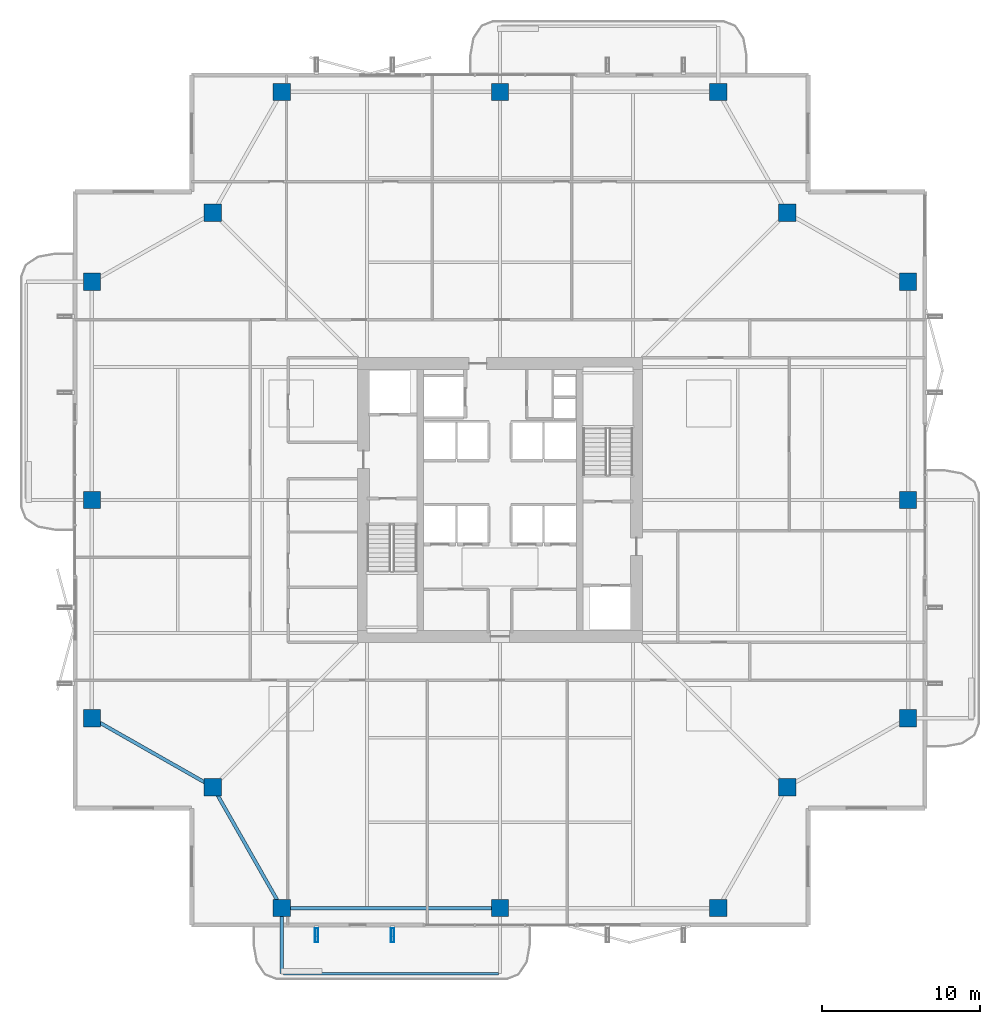
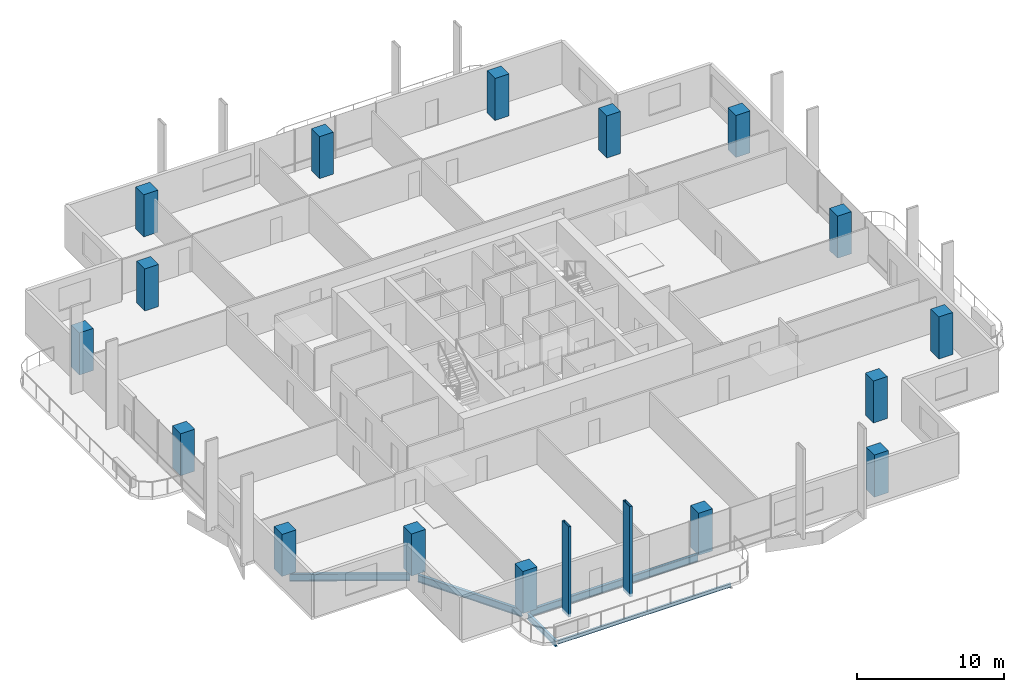
# One storey, part 1 of 24: 16 columns, 5 beams, 2 members.
"""IFC4 building model written with IfcOpenShell, lengths in metres."""

from ifc_helpers import new_model, si_unit, direction, frame, origin, origin_2d, place, context, subcontext, project, spatial, rectangle, hollow_rectangle, i_section, extrude, material, material_profile, profile_set, type_object, element, save


model = new_model("IFC4")

# Units and contexts
model_context = context("Model", 3, precision=1e-05, world=origin(), true_north=direction((0.0, 1.0)))
body_context = subcontext(model_context, "Body", "Model", "MODEL_VIEW")
ifc_project = project(units=[si_unit("LENGTHUNIT", "METRE"), si_unit("AREAUNIT", "SQUARE_METRE"), si_unit("VOLUMEUNIT", "CUBIC_METRE"), si_unit("PLANEANGLEUNIT", "RADIAN"), si_unit("MASSUNIT", "GRAM", prefix="KILO")], contexts=[model_context])

# Site, building, storey
site_placement = place(None, origin())
site = spatial("IfcSite", under=ifc_project, at=site_placement, CompositionType="ELEMENT")
building_placement = place(site_placement, origin())
building = spatial("IfcBuilding", under=site, at=building_placement, Name="Belovzor Exchange Tower", CompositionType="ELEMENT")
storey_placement = place(building_placement, frame((0.0, 0.0, 218.699951171875)))
storey = spatial("IfcBuildingStorey", under=building, at=storey_placement, Name="L54", CompositionType="ELEMENT", Elevation=218.699951171875)

# Columns
ifc_material_1 = material(Name="Concrete C50/60", Category="concrete")
ifc_material_profile_1 = material_profile(ifc_material_1, rectangle(XDim=1.10009765625, YDim=1.10009765625, at=origin_2d()))
ifc_profile_set_1 = profile_set([ifc_material_profile_1], Name="Concrete C50/60")
column_type = type_object("IfcColumnType", Name="Reinforced Concrete Tower Column 1100x1100", PredefinedType="COLUMN", material=ifc_profile_set_1)
for number, where, z_axis, x_axis, name in (
    (1, (15.0, 3.0, 0.0029296875), (0.0, 0.0, 1.0), (1.0, 0.0, 0.0), "COL-T110 Reinforced Concrete Tower Column 1100x1100"),
    (2, (28.800048828125, 3.0, 0.0029296875), (0.0, 0.0, 1.0), (1.0, 0.0, 0.0), "COL-T110 Reinforced Concrete Tower Column 1100x1100"),
    (3, (42.60009765625, 3.0, 0.0029296875), (0.0, 0.0, 1.0), (1.0, 0.0, 0.0), "COL-T110 Reinforced Concrete Tower Column 1100x1100"),
    (4, (54.60009765625, 15.0, 0.0029296875), (0.0, 0.0, 1.0), (1.0, 0.0, 0.0), "COL-T110 Reinforced Concrete Tower Column 1100x1100"),
    (5, (54.60009765625, 28.800048828125, 0.0029296875), (0.0, 0.0, 1.0), (1.0, 0.0, 0.0), "COL-T110 Reinforced Concrete Tower Column 1100x1100"),
    (6, (54.60009765625, 42.60009765625, 0.0029296875), (0.0, 0.0, 1.0), (1.0, 0.0, 0.0), "COL-T110 Reinforced Concrete Tower Column 1100x1100"),
    (7, (42.60009765625, 54.60009765625, 0.0029296875), (0.0, 0.0, 1.0), (1.0, 0.0, 0.0), "COL-T110 Reinforced Concrete Tower Column 1100x1100"),
    (8, (28.800048828125, 54.60009765625, 0.0029296875), (0.0, 0.0, 1.0), (1.0, 0.0, 0.0), "COL-T110 Reinforced Concrete Tower Column 1100x1100"),
    (9, (15.0, 54.60009765625, 0.0029296875), (0.0, 0.0, 1.0), (1.0, 0.0, 0.0), "COL-T110 Reinforced Concrete Tower Column 1100x1100"),
    (10, (3.0, 42.60009765625, 0.0029296875), (0.0, 0.0, 1.0), (1.0, 0.0, 0.0), "COL-T110 Reinforced Concrete Tower Column 1100x1100"),
    (11, (3.0, 28.800048828125, 0.0029296875), (0.0, 0.0, 1.0), (1.0, 0.0, 0.0), "COL-T110 Reinforced Concrete Tower Column 1100x1100"),
    (12, (3.0, 15.0, 0.0029296875), (0.0, 0.0, 1.0), (1.0, 0.0, 0.0), "COL-T110 Reinforced Concrete Tower Column 1100x1100"),
    (13, (10.64990234375, 10.64990234375, 0.0029296875), (0.0, 0.0, 1.0), (1.0, 0.0, 0.0), "COL-T110 Reinforced Concrete Tower Column 1100x1100"),
    (14, (46.949951171875, 10.64990234375, 0.0029296875), (0.0, 0.0, 1.0), (1.0, 0.0, 0.0), "COL-T110 Reinforced Concrete Tower Column 1100x1100"),
    (15, (46.949951171875, 46.949951171875, 0.0029296875), (0.0, 0.0, 1.0), (1.0, 0.0, 0.0), "COL-T110 Reinforced Concrete Tower Column 1100x1100"),
    (16, (10.64990234375, 46.949951171875, 0.0029296875), (0.0, 0.0, 1.0), (1.0, 0.0, 0.0), "COL-T110 Reinforced Concrete Tower Column 1100x1100"),
):
    element("IfcColumn", number, at=place(storey_placement, frame(where, z_axis=z_axis, x_axis=x_axis)), inside=storey, type_object=column_type, Name=name, PredefinedType="COLUMN", context=body_context, shape_type="SweptSolid", body=[
        extrude(rectangle(XDim=1.10009765625, YDim=1.10009765625, at=origin_2d()), origin(), (0.0, 0.0, 1.0), 3.494140625),
    ])

# Beams
ifc_material_2 = material(Name="Steel S355", Category="steel")
ifc_material_profile_2 = material_profile(ifc_material_2, i_section(OverallWidth=0.199951171875, OverallDepth=0.5, WebThickness=0.01025390625, FlangeThickness=0.01611328125, at=origin_2d()))
ifc_profile_set_2 = profile_set([ifc_material_profile_2], Name="Steel S355")
beam_type_1 = type_object("IfcBeamType", Name="Planted Balcony Cantilever Beam IPE 500", PredefinedType="BEAM", material=ifc_profile_set_2)
beam_1_placement = place(storey_placement, frame((15.0, 2.697021484375, -0.5), z_axis=(0.0, -1.0, 0.0), x_axis=(1.0, 0.0, 0.0)))
element("IfcBeam", 17, at=beam_1_placement, inside=storey, type_object=beam_type_1, Name="BC-500 Planted Balcony Cantilever Beam IPE 500", PredefinedType="BEAM", context=body_context, shape_type="SweptSolid", body=[
    extrude(i_section(OverallWidth=0.199951171875, OverallDepth=0.5, WebThickness=0.01025390625, FlangeThickness=0.01611328125, at=origin_2d()), origin(), (0.0, 0.0, 1.0), 3.85009765625),
])
ifc_material_3 = material(Name="Steel S355", Category="steel")
ifc_material_profile_3 = material_profile(ifc_material_3, i_section(OverallWidth=0.14990234375, OverallDepth=0.300048828125, WebThickness=0.007080078125, FlangeThickness=0.0107421875, at=origin_2d()))
ifc_profile_set_3 = profile_set([ifc_material_profile_3], Name="Steel S355")
beam_type_2 = type_object("IfcBeamType", Name="Planted Balcony Fascia Edge Beam IPE 300", PredefinedType="BEAM", material=ifc_profile_set_3)
beam_2_placement = place(storey_placement, frame((15.10009765625, -1.153076171875, -0.39990234375), z_axis=(1.0, 0.0, 0.0), x_axis=(0.0, 1.0, 0.0)))
element("IfcBeam", 18, at=beam_2_placement, inside=storey, type_object=beam_type_2, Name="BC-300 Planted Balcony Fascia Edge Beam IPE 300", PredefinedType="BEAM", context=body_context, shape_type="SweptSolid", body=[
    extrude(i_section(OverallWidth=0.14990234375, OverallDepth=0.300048828125, WebThickness=0.007080078125, FlangeThickness=0.0107421875, at=origin_2d()), origin(), (0.0, 0.0, 1.0), 13.599853515625),
])

# Members
ifc_material_4 = material(Name="Extruded Architectural Terracotta on Steel S355 Carrier", Category="masonry")
ifc_material_profile_4 = material_profile(ifc_material_4, hollow_rectangle(XDim=0.199951171875, YDim=0.89990234375, WallThickness=0.011962890625, at=origin_2d()))
ifc_profile_set_4 = profile_set([ifc_material_profile_4], Name="Extruded Architectural Terracotta on Steel S355 Carrier")
member_type = type_object("IfcMemberType", Name="Sweeping Terracotta Baguette Fin Assembly 950", PredefinedType="USERDEFINED", material=ifc_profile_set_4)
for number, where, z_axis, x_axis, name in (
    (19, (17.199951171875, 1.27490234375, -0.25), (0.0, 0.0, 1.0), (1.0, 0.0, 0.0), "FIN-TC095 Terracotta Facade Fin L54 S1"),
    (20, (22.0, 1.27490234375, -0.25), (0.0, 0.0, 1.0), (1.0, 0.0, 0.0), "FIN-TC095 Terracotta Facade Fin L54 S2"),
):
    element("IfcMember", number, at=place(storey_placement, frame(where, z_axis=z_axis, x_axis=x_axis)), inside=storey, type_object=member_type, Name=name, ObjectType="FIN", PredefinedType="USERDEFINED", context=body_context, shape_type="SweptSolid", body=[
        extrude(hollow_rectangle(XDim=0.199951171875, YDim=0.89990234375, WallThickness=0.011962890625, at=origin_2d()), origin(), (0.0, 0.0, 1.0), 7.5),
    ])

# Beams
ifc_material_5 = material(Name="Steel S355", Category="steel")
ifc_material_profile_5 = material_profile(ifc_material_5, i_section(OverallWidth=0.219970703125, OverallDepth=0.60009765625, WebThickness=0.011962890625, FlangeThickness=0.01904296875, at=origin_2d()))
ifc_profile_set_5 = profile_set([ifc_material_profile_5], Name="Steel S355")
beam_type_3 = type_object("IfcBeamType", Name="Zone 4 Flare Primary Girder IPE 600", PredefinedType="BEAM", material=ifc_profile_set_5)
beam_3_placement = place(storey_placement, frame((10.800048828125, 10.386962890625, -0.550048828125), z_axis=(0.494222323641, -0.869335547884, 0.0), x_axis=(0.869335547884, 0.494222323641, 0.0)))
element("IfcBeam", 21, at=beam_3_placement, inside=storey, type_object=beam_type_3, Name="FG-Z4 Zone 4 Flare Primary Girder IPE 600", PredefinedType="BEAM", context=body_context, shape_type="SweptSolid", body=[
    extrude(i_section(OverallWidth=0.219970703125, OverallDepth=0.60009765625, WebThickness=0.011962890625, FlangeThickness=0.01904296875, at=origin_2d()), origin(), (0.0, 0.0, 1.0), 8.19482421875),
])
beam_4_placement = place(storey_placement, frame((15.302978515625, 3.0, -0.550048828125), z_axis=(1.0, 0.0, 0.0), x_axis=(0.0, 1.0, 0.0)))
element("IfcBeam", 22, at=beam_4_placement, inside=storey, type_object=beam_type_3, Name="FG-Z4 Zone 4 Flare Primary Girder IPE 600", PredefinedType="BEAM", context=body_context, shape_type="SweptSolid", body=[
    extrude(i_section(OverallWidth=0.219970703125, OverallDepth=0.60009765625, WebThickness=0.011962890625, FlangeThickness=0.01904296875, at=origin_2d()), origin(), (0.0, 0.0, 1.0), 13.195068359375),
])
beam_5_placement = place(storey_placement, frame((3.262939453125, 14.85009765625, -0.550048828125), z_axis=(0.869335547884, -0.494222323641, 0.0), x_axis=(0.494222323641, 0.869335547884, 0.0)))
element("IfcBeam", 23, at=beam_5_placement, inside=storey, type_object=beam_type_3, Name="FG-Z4 Zone 4 Flare Primary Girder IPE 600", PredefinedType="BEAM", context=body_context, shape_type="SweptSolid", body=[
    extrude(i_section(OverallWidth=0.219970703125, OverallDepth=0.60009765625, WebThickness=0.011962890625, FlangeThickness=0.01904296875, at=origin_2d()), origin(), (0.0, 0.0, 1.0), 8.19482421875),
])

save(model, "model.ifc")
